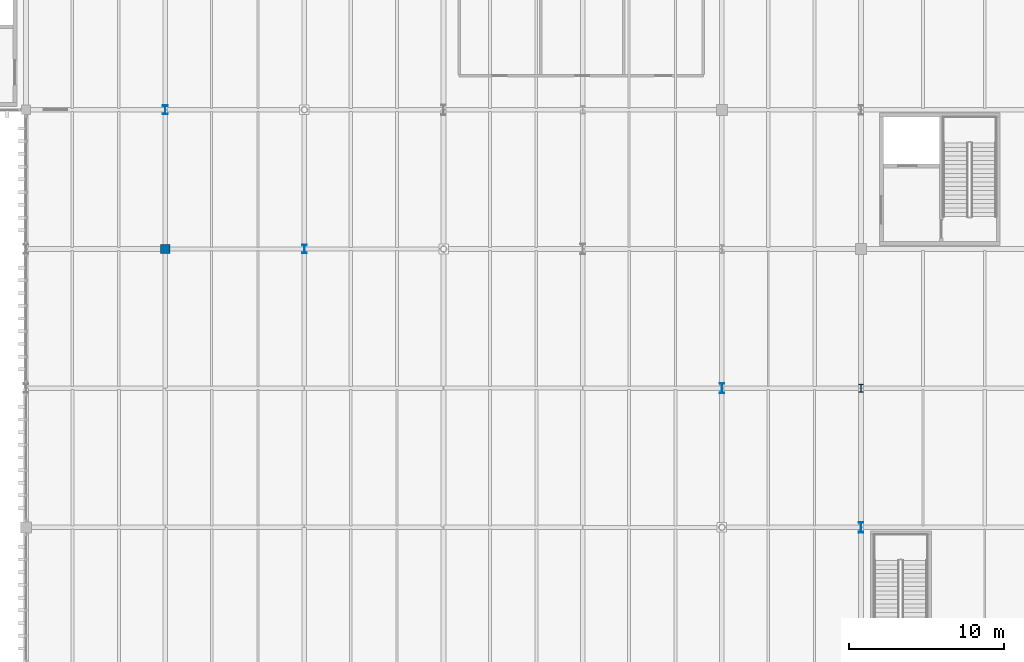
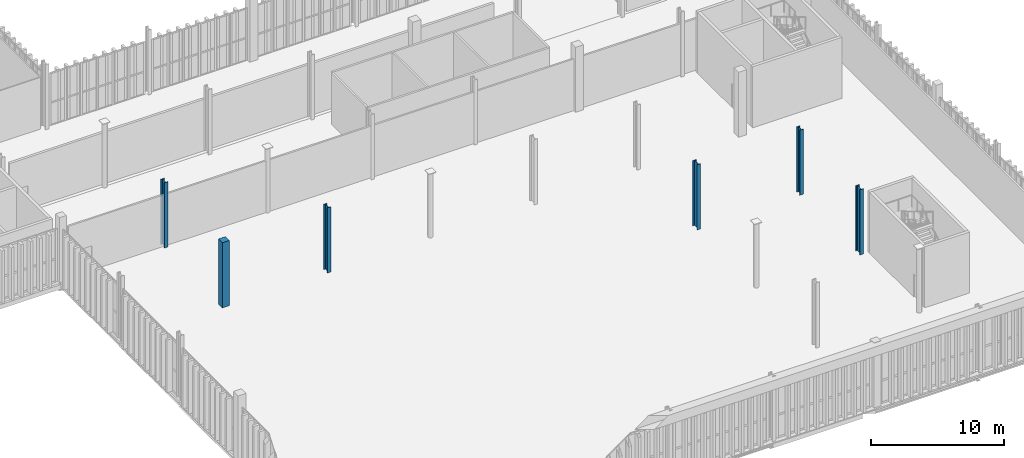
# One storey, part 14 of 237: 6 columns.
"""IFC4 building model written with IfcOpenShell, lengths in metres."""

from ifc_helpers import new_model, si_unit, direction, frame, origin, origin_2d, place, context, subcontext, project, spatial, rectangle, i_section, extrude, material, material_profile, profile_set, type_object, element, save


model = new_model("IFC4")

# Units and contexts
model_context = context("Model", 3, precision=1e-05, world=origin(), true_north=direction((0.0, 1.0)))
body_context = subcontext(model_context, "Body", "Model", "MODEL_VIEW")
ifc_project = project(units=[si_unit("LENGTHUNIT", "METRE"), si_unit("AREAUNIT", "SQUARE_METRE"), si_unit("VOLUMEUNIT", "CUBIC_METRE"), si_unit("PLANEANGLEUNIT", "RADIAN"), si_unit("MASSUNIT", "GRAM", prefix="KILO")], contexts=[model_context])

# Site, building, storey
site_placement = place(None, origin())
site = spatial("IfcSite", under=ifc_project, at=site_placement, CompositionType="ELEMENT")
building_placement = place(site_placement, origin())
building = spatial("IfcBuilding", under=site, at=building_placement, Name="Barlavento Convention Centre", CompositionType="ELEMENT")
storey_placement = place(building_placement, frame((0.0, 0.0, 12.0)))
storey = spatial("IfcBuildingStorey", under=building, at=storey_placement, Name="L02", CompositionType="ELEMENT", Elevation=12.0)

# Columns
ifc_material_1 = material(Name="Steel S355", Category="steel")
ifc_material_profile_1 = material_profile(ifc_material_1, i_section(OverallWidth=0.305908203125, OverallDepth=0.52392578125, WebThickness=0.02099609375, FlangeThickness=0.0400390625, FilletRadius=0.027099609375, at=origin_2d()), Name="HEM 500")
ifc_profile_set_1 = profile_set([ifc_material_profile_1], Name="Steel S355")
column_type_1 = type_object("IfcColumnType", Name="STR-COL-HEM500", PredefinedType="COLUMN", material=ifc_profile_set_1)
column_1_placement = place(storey_placement, frame((180.0, 27.0, 0.0), z_axis=(0.0, 0.0, 1.0), x_axis=(1.0, 0.0, 0.0)))
element("IfcColumn", 1, at=column_1_placement, inside=storey, type_object=column_type_1, Name="L02 column SC07", PredefinedType="COLUMN", context=body_context, shape_type="SweptSolid", body=[
    extrude(i_section(OverallWidth=0.305908203125, OverallDepth=0.52392578125, WebThickness=0.02099609375, FlangeThickness=0.0400390625, FilletRadius=0.027099609375, at=origin_2d()), origin(), (0.0, 0.0, 1.0), 6.0),
])
ifc_material_profile_2 = material_profile(ifc_material_1, i_section(OverallWidth=0.305908203125, OverallDepth=0.572021484375, WebThickness=0.02099609375, FlangeThickness=0.0400390625, FilletRadius=0.027099609375, at=origin_2d()), Name="HEM 550")
ifc_profile_set_2 = profile_set([ifc_material_profile_2], Name="Steel S355")
column_type_2 = type_object("IfcColumnType", Name="STR-COL-HEM550", PredefinedType="COLUMN", material=ifc_profile_set_2)
for number, where, z_axis, x_axis, name in (
    (2, (135.0, 45.0, 0.0), (0.0, 0.0, 1.0), (1.0, 0.0, 0.0), "L02 column SC06"),
    (3, (144.0, 36.0, 0.0), (0.0, 0.0, 1.0), (1.0, 0.0, 0.0), "L02 column SC06"),
):
    element("IfcColumn", number, at=place(storey_placement, frame(where, z_axis=z_axis, x_axis=x_axis)), inside=storey, type_object=column_type_2, Name=name, PredefinedType="COLUMN", context=body_context, shape_type="SweptSolid", body=[
        extrude(i_section(OverallWidth=0.305908203125, OverallDepth=0.572021484375, WebThickness=0.02099609375, FlangeThickness=0.0400390625, FilletRadius=0.027099609375, at=origin_2d()), origin(), (0.0, 0.0, 1.0), 6.0),
    ])
ifc_material_2 = material(Name="Steel S460", Category="steel")
ifc_material_profile_3 = material_profile(ifc_material_2, i_section(OverallWidth=0.304931640625, OverallDepth=0.66796875, WebThickness=0.02099609375, FlangeThickness=0.0400390625, FilletRadius=0.027099609375, at=origin_2d()), Name="HEM 650")
ifc_profile_set_3 = profile_set([ifc_material_profile_3], Name="Steel S460")
column_type_3 = type_object("IfcColumnType", Name="STR-COL-HEM650", PredefinedType="COLUMN", material=ifc_profile_set_3)
for number, where, z_axis, x_axis, name in (
    (4, (171.0, 27.0, 0.0), (0.0, 0.0, 1.0), (1.0, 0.0, 0.0), "L02 column SC04"),
    (5, (180.0, 18.0, 0.0), (0.0, 0.0, 1.0), (1.0, 0.0, 0.0), "L02 column SC04"),
):
    element("IfcColumn", number, at=place(storey_placement, frame(where, z_axis=z_axis, x_axis=x_axis)), inside=storey, type_object=column_type_3, Name=name, PredefinedType="COLUMN", context=body_context, shape_type="SweptSolid", body=[
        extrude(i_section(OverallWidth=0.304931640625, OverallDepth=0.66796875, WebThickness=0.02099609375, FlangeThickness=0.0400390625, FilletRadius=0.027099609375, at=origin_2d()), origin(), (0.0, 0.0, 1.0), 6.0),
    ])
ifc_material_3 = material(Name="Concrete C40/50", Category="concrete")
ifc_material_profile_4 = material_profile(ifc_material_3, rectangle(XDim=0.60009765625, YDim=0.60009765625, at=origin_2d()), Name="RC 600x600")
ifc_profile_set_4 = profile_set([ifc_material_profile_4], Name="Concrete C40/50")
column_type_4 = type_object("IfcColumnType", Name="STR-COL-RC600", PredefinedType="COLUMN", material=ifc_profile_set_4)
column_2_placement = place(storey_placement, frame((135.0, 36.0, 0.0), z_axis=(0.0, 0.0, 1.0), x_axis=(1.0, 0.0, 0.0)))
element("IfcColumn", 6, at=column_2_placement, inside=storey, type_object=column_type_4, Name="L02 column CC07", PredefinedType="COLUMN", context=body_context, shape_type="SweptSolid", body=[
    extrude(rectangle(XDim=0.60009765625, YDim=0.60009765625, at=origin_2d()), origin(), (0.0, 0.0, 1.0), 6.0),
])

save(model, "model.ifc")
